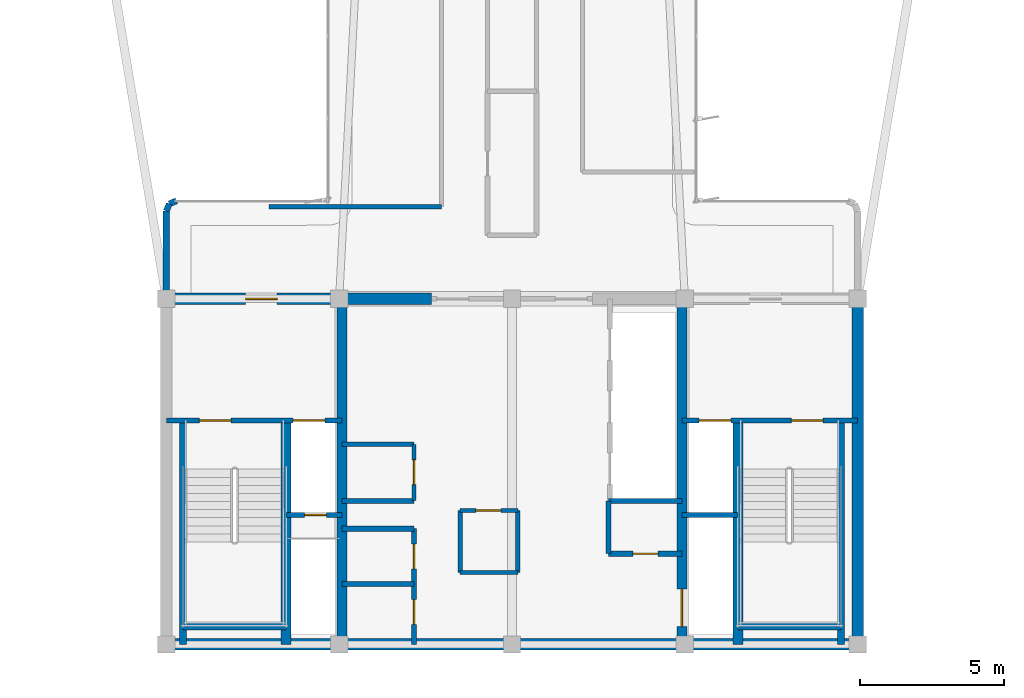
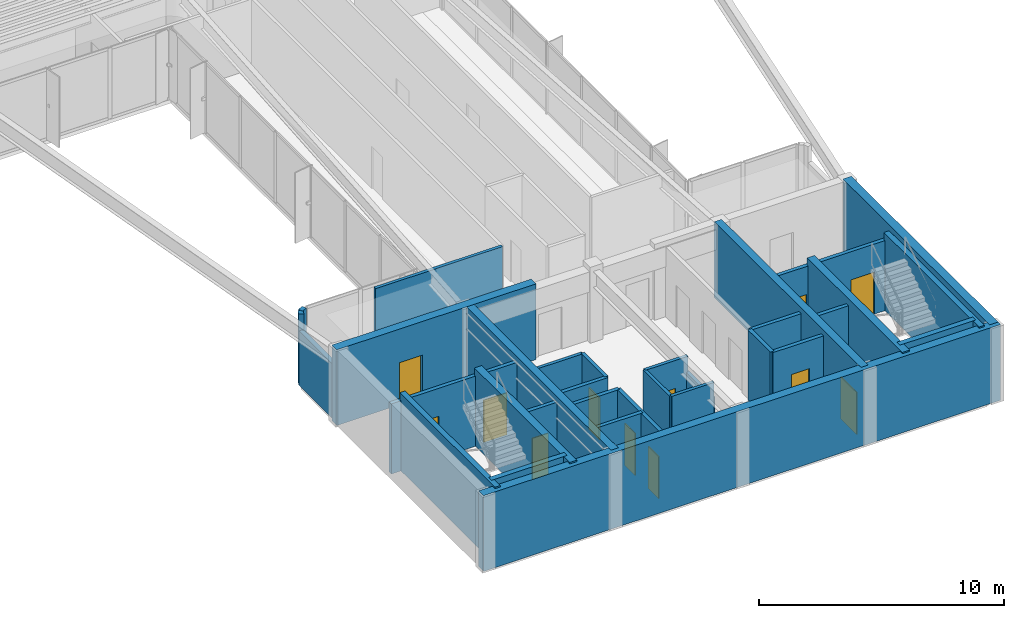
# One storey, part 10 of 15: 32 walls, 12 doors, 12 openings.
"""IFC4 building model written with IfcOpenShell, lengths in metres."""

from ifc_helpers import new_model, si_unit, direction, frame, frame_2d, origin, origin_2d, place, context, subcontext, project, spatial, rectangle, extrude, source, transform, mapped, material, layer, layer_set, type_object, element, fill, save


model = new_model("IFC4")

# Units and contexts
model_context = context("Model", 3, precision=1e-05, world=origin(), true_north=direction((0.0, 1.0)))
body_context = subcontext(model_context, "Body", "Model", "MODEL_VIEW")
ifc_project = project(units=[si_unit("LENGTHUNIT", "METRE"), si_unit("AREAUNIT", "SQUARE_METRE"), si_unit("VOLUMEUNIT", "CUBIC_METRE"), si_unit("PLANEANGLEUNIT", "RADIAN"), si_unit("MASSUNIT", "GRAM", prefix="KILO")], contexts=[model_context])

# Site, building, storey
site_placement = place(None, origin())
site = spatial("IfcSite", under=ifc_project, at=site_placement, CompositionType="ELEMENT")
building_placement = place(site_placement, origin())
building = spatial("IfcBuilding", under=site, at=building_placement, Name="Brelvock Crest Care Tower", CompositionType="ELEMENT")
storey_placement = place(building_placement, frame((0.0, 0.0, 245.699951171875)))
storey = spatial("IfcBuildingStorey", under=building, at=storey_placement, Name="L62", CompositionType="ELEMENT", Elevation=245.699951171875)

# Walls
ifc_material_1 = material(Name="Concrete S65 (65 MPa)", Category="concrete")
ifc_layer_1 = layer(ifc_material_1, 0.39990234375, Name="WL-CS4")
ifc_layer_set_1 = layer_set([ifc_layer_1], Name="Concrete S65 (65 MPa)")
wall_type_1 = type_object("IfcWallType", Name="WL-CS4", PredefinedType="SHEAR", material=ifc_layer_set_1)
wall_1_placement = place(storey_placement, frame((48.199951171875, 6.0, 0.0), z_axis=(0.0, 0.0, 1.0), x_axis=(-1.0, 0.0, 0.0)))
element("IfcWall", 1, at=wall_1_placement, inside=storey, type_object=wall_type_1, Name="L62 Core South Shear Wall", PredefinedType="SHEAR", context=body_context, shape_type="SweptSolid", body=[
    extrude(rectangle(XDim=24.39990234375, YDim=0.39990234375, at=frame_2d((12.199951171875, 0.0))), origin(), (0.0, 0.0, 1.0), 3.780029296875),
])
wall_2_placement = place(storey_placement, frame((48.0, 18.0, 0.0), z_axis=(0.0, 0.0, 1.0), x_axis=(0.0, -1.0, 0.0)))
element("IfcWall", 2, at=wall_2_placement, inside=storey, type_object=wall_type_1, Name="L62 Core East Shear Wall", PredefinedType="SHEAR", context=body_context, shape_type="SweptSolid", body=[
    extrude(rectangle(XDim=12.0, YDim=0.39990234375, at=frame_2d((6.0, 0.0))), origin(), (0.0, 0.0, 1.0), 3.780029296875),
])

# Wall, opening, door
wall_3_placement = place(storey_placement, frame((23.800048828125, 18.0, 0.0), z_axis=(0.0, 0.0, 1.0), x_axis=(1.0, 0.0, 0.0)))
wall_3 = element("IfcWall", 3, at=wall_3_placement, inside=storey, type_object=wall_type_1, Name="L62 Core North-West Shear Wall", PredefinedType="SHEAR", context=body_context, shape_type="SweptSolid", body=[
    extrude(rectangle(XDim=9.39990234375, YDim=0.39990234375, at=frame_2d((4.699951171875, 0.0))), origin(), (0.0, 0.0, 1.0), 3.780029296875),
])
opening_1_placement = place(wall_3_placement, frame((2.949951171875, 0.0, 0.0)))
opening_1 = element("IfcOpeningElement", 4, at=opening_1_placement, cuts=wall_3, Name="Opening FD-1", PredefinedType="OPENING", context=body_context, shape_type="SweptSolid", body=[
    extrude(rectangle(XDim=1.10009765625, YDim=2.10009765625, at=origin_2d()), frame((0.550048828125, 0.2099609375, 1.050048828125), z_axis=(0.0, -1.0, 0.0), x_axis=(1.0, 0.0, 0.0)), (0.0, 0.0, 1.0), 0.419921875),
])
ifc_material_2 = material(Name="Steel Grade 350", Category="steel")
door_type_1 = type_object("IfcDoorType", Name="DR-FFL1", OperationType="NOTDEFINED", PredefinedType="DOOR", material=ifc_material_2)
shared_shape_1 = source(origin(), body_context, "Body", "SweptSolid", [
    extrude(rectangle(XDim=1.10009765625, YDim=2.10009765625, at=origin_2d()), frame((0.550048828125, 0.02490234375, 1.050048828125), z_axis=(0.0, -1.0, 0.0), x_axis=(1.0, 0.0, 0.0)), (0.0, 0.0, 1.0), 0.050048828125),
])
door_1_placement = place(opening_1_placement, origin())
door_1 = element("IfcDoor", 5, at=door_1_placement, inside=storey, type_object=door_type_1, Name="L62 Firefighting Lobby FFL-1 Exit Door", OperationType="SINGLE_SWING_LEFT", OverallHeight=2.10009765625, OverallWidth=1.10009765625, PredefinedType="DOOR", context=body_context, shape_type="MappedRepresentation", body=[
    mapped(shared_shape_1, transform((0.0, 0.0, 0.0), x_axis=(1.0, 0.0, 0.0), y_axis=(0.0, 1.0, 0.0), z_axis=(0.0, 0.0, 1.0), scale=1.0)),
])
fill(opening_1, door_1)

# Wall
ifc_material_3 = material(Name="Concrete S80 (80 MPa)", Category="concrete")
ifc_layer_2 = layer(ifc_material_3, 0.35009765625, Name="WL-CS5")
ifc_layer_set_2 = layer_set([ifc_layer_2], Name="Concrete S80 (80 MPa)")
wall_type_2 = type_object("IfcWallType", Name="WL-CS5", PredefinedType="SHEAR", material=ifc_layer_set_2)
wall_4_placement = place(storey_placement, frame((30.10009765625, 6.0, 0.0), z_axis=(0.0, 0.0, 1.0), x_axis=(0.0, 1.0, 0.0)))
element("IfcWall", 6, at=wall_4_placement, inside=storey, type_object=wall_type_2, Name="L62 Core Internal Web Wall West", PredefinedType="SHEAR", context=body_context, shape_type="SweptSolid", body=[
    extrude(rectangle(XDim=12.0, YDim=0.35009765625, at=frame_2d((6.0, 0.0))), origin(), (0.0, 0.0, 1.0), 3.780029296875),
])

# Wall, opening, door
wall_5_placement = place(storey_placement, frame((41.89990234375, 18.0, 0.0), z_axis=(0.0, 0.0, 1.0), x_axis=(0.0, -1.0, 0.0)))
wall_5 = element("IfcWall", 7, at=wall_5_placement, inside=storey, type_object=wall_type_2, Name="L62 Core Internal Web Wall East", PredefinedType="SHEAR", context=body_context, shape_type="SweptSolid", body=[
    extrude(rectangle(XDim=12.0, YDim=0.35009765625, at=frame_2d((6.0, 0.0))), origin(), (0.0, 0.0, 1.0), 3.780029296875),
])
opening_2_placement = place(wall_5_placement, frame((10.080078125, 0.0, 0.0)))
opening_2 = element("IfcOpeningElement", 8, at=opening_2_placement, cuts=wall_5, Name="Opening LD-S", PredefinedType="OPENING", context=body_context, shape_type="SweptSolid", body=[
    extrude(rectangle(XDim=1.300048828125, YDim=2.10009765625, at=origin_2d()), frame((0.64990234375, 0.18505859375, 1.050048828125), z_axis=(0.0, -1.0, 0.0), x_axis=(1.0, 0.0, 0.0)), (0.0, 0.0, 1.0), 0.3701171875),
])
door_type_2 = type_object("IfcDoorType", Name="DR-LDS1", OperationType="NOTDEFINED", PredefinedType="DOOR", material=ifc_material_2)
shared_shape_2 = source(origin(), body_context, "Body", "SweptSolid", [
    extrude(rectangle(XDim=1.300048828125, YDim=2.10009765625, at=origin_2d()), frame((0.64990234375, 0.02490234375, 1.050048828125), z_axis=(0.0, -1.0, 0.0), x_axis=(1.0, 0.0, 0.0)), (0.0, 0.0, 1.0), 0.050048828125),
])
door_2_placement = place(opening_2_placement, origin())
door_2 = element("IfcDoor", 9, at=door_2_placement, inside=storey, type_object=door_type_2, Name="L62 Clinical Bed Lift SL-1 Landing Door", OperationType="SLIDING_TO_LEFT", OverallHeight=2.10009765625, OverallWidth=1.300048828125, PredefinedType="DOOR", context=body_context, shape_type="MappedRepresentation", body=[
    mapped(shared_shape_2, transform((0.0, 0.0, 0.0), x_axis=(1.0, 0.0, 0.0), y_axis=(0.0, 1.0, 0.0), z_axis=(0.0, 0.0, 1.0), scale=1.0)),
])
fill(opening_2, door_2)

# Walls
for number, where, z_axis, x_axis, name in (
    (10, (28.14990234375, 6.0, 0.0), (0.0, 0.0, 1.0), (0.0, 1.0, 0.0), "L62 Core Stair ST-1 East Shear Wall"),
    (11, (43.85009765625, 6.0, 0.0), (0.0, 0.0, 1.0), (0.0, 1.0, 0.0), "L62 Core Stair ST-2 West Shear Wall"),
):
    element("IfcWall", number, at=place(storey_placement, frame(where, z_axis=z_axis, x_axis=x_axis)), inside=storey, type_object=wall_type_2, Name=name, PredefinedType="SHEAR", context=body_context, shape_type="SweptSolid", body=[
        extrude(rectangle(XDim=7.780029296875, YDim=0.35009765625, at=frame_2d((3.89013671875, 0.0))), origin(), (0.0, 0.0, 1.0), 3.85009765625),
    ])
ifc_layer_3 = layer(ifc_material_3, 0.25, Name="WL-CS6")
ifc_layer_set_3 = layer_set([ifc_layer_3], Name="Concrete S80 (80 MPa)")
wall_type_3 = type_object("IfcWallType", Name="WL-CS6", PredefinedType="SHEAR", material=ifc_layer_set_3)
wall_6_placement = place(storey_placement, frame((24.580078125, 6.0, 0.0), z_axis=(0.0, 0.0, 1.0), x_axis=(0.0, 1.0, 0.0)))
element("IfcWall", 12, at=wall_6_placement, inside=storey, type_object=wall_type_3, Name="L62 Core Stair ST-1 West Shear Wall", PredefinedType="SHEAR", context=body_context, shape_type="SweptSolid", body=[
    extrude(rectangle(XDim=7.780029296875, YDim=0.25, at=frame_2d((3.89013671875, 0.0))), origin(), (0.0, 0.0, 1.0), 3.85009765625),
])
wall_7_placement = place(storey_placement, frame((24.580078125, 6.6201171875, 0.0), z_axis=(0.0, 0.0, 1.0), x_axis=(1.0, 0.0, 0.0)))
element("IfcWall", 13, at=wall_7_placement, inside=storey, type_object=wall_type_3, Name="L62 Core Stair ST-1 South Shear Wall", PredefinedType="SHEAR", context=body_context, shape_type="SweptSolid", body=[
    extrude(rectangle(XDim=3.56982421875, YDim=0.25, at=frame_2d((1.784912109375, 0.0))), origin(), (0.0, 0.0, 1.0), 3.85009765625),
])
wall_8_placement = place(storey_placement, frame((47.419921875, 6.0, 0.0), z_axis=(0.0, 0.0, 1.0), x_axis=(0.0, 1.0, 0.0)))
element("IfcWall", 14, at=wall_8_placement, inside=storey, type_object=wall_type_3, Name="L62 Core Stair ST-2 East Shear Wall", PredefinedType="SHEAR", context=body_context, shape_type="SweptSolid", body=[
    extrude(rectangle(XDim=7.780029296875, YDim=0.25, at=frame_2d((3.89013671875, 0.0))), origin(), (0.0, 0.0, 1.0), 3.85009765625),
])
wall_9_placement = place(storey_placement, frame((43.85009765625, 6.6201171875, 0.0), z_axis=(0.0, 0.0, 1.0), x_axis=(1.0, 0.0, 0.0)))
element("IfcWall", 15, at=wall_9_placement, inside=storey, type_object=wall_type_3, Name="L62 Core Stair ST-2 South Shear Wall", PredefinedType="SHEAR", context=body_context, shape_type="SweptSolid", body=[
    extrude(rectangle(XDim=3.56982421875, YDim=0.25, at=frame_2d((1.784912109375, 0.0))), origin(), (0.0, 0.0, 1.0), 3.85009765625),
])
ifc_material_4 = material(Name="Precast concrete N40 (40 MPa)", Category="concrete")
ifc_layer_4 = layer(ifc_material_4, 0.215087890625, Name="WL-EX2")
ifc_layer_set_4 = layer_set([ifc_layer_4], Name="Precast concrete N40 (40 MPa)")
wall_type_4 = type_object("IfcWallType", Name="WL-EX2", PredefinedType="SOLIDWALL", material=ifc_layer_set_4)
wall_10_placement = place(storey_placement, frame((24.0, 18.280029296875, 0.0), z_axis=(0.0, 0.0, 1.0), x_axis=(0.0, 1.0, 0.0)))
element("IfcWall", 16, at=wall_10_placement, inside=storey, type_object=wall_type_4, Name="L62 Rounded Corner Wall 07", PredefinedType="SOLIDWALL", context=body_context, shape_type="SweptSolid", body=[
    extrude(rectangle(XDim=2.77001953125, YDim=0.215087890625, at=frame_2d((1.385009765625, 0.0))), origin(), (0.0, 0.0, 1.0), 2.718017578125),
])
wall_11_placement = place(storey_placement, frame((24.0, 21.050048828125, 0.0), z_axis=(0.0, 0.0, 1.0), x_axis=(0.382673670509, 0.923883575944, 0.0)))
element("IfcWall", 17, at=wall_11_placement, inside=storey, type_object=wall_type_4, Name="L62 Rounded Corner Wall 08", PredefinedType="SOLIDWALL", context=body_context, shape_type="SweptSolid", body=[
    extrude(rectangle(XDim=0.26806640625, YDim=0.215087890625, at=frame_2d((0.134033203125, 0.0))), origin(), (0.0, 0.0, 1.0), 3.530029296875),
])
wall_12_placement = place(storey_placement, frame((24.1025390625, 21.297607421875, 0.0), z_axis=(0.0, 0.0, 1.0), x_axis=(0.924205486139, 0.381895560841, 0.0)))
element("IfcWall", 18, at=wall_12_placement, inside=storey, type_object=wall_type_4, Name="L62 Rounded Corner Wall 09", PredefinedType="SOLIDWALL", context=body_context, shape_type="SweptSolid", body=[
    extrude(rectangle(XDim=0.267822265625, YDim=0.215087890625, at=frame_2d((0.1337890625, 0.0))), origin(), (0.0, 0.0, 1.0), 3.530029296875),
])
ifc_material_5 = material(Name="Masonry Blockwork Acoustic Partition", Category="masonry")
ifc_layer_5 = layer(ifc_material_5, 0.14990234375, Name="WL-INT1")
ifc_layer_set_5 = layer_set([ifc_layer_5], Name="Masonry Blockwork Acoustic Partition")
wall_type_5 = type_object("IfcWallType", Name="WL-INT1", PredefinedType="PARTITIONING", material=ifc_layer_set_5)
wall_13_placement = place(storey_placement, frame((30.10009765625, 12.949951171875, 0.0), z_axis=(0.0, 0.0, 1.0), x_axis=(1.0, 0.0, 0.0)))
element("IfcWall", 19, at=wall_13_placement, inside=storey, type_object=wall_type_5, Name="L62 Interior Wall WL-CRCL-N2-L62", PredefinedType="PARTITIONING", context=body_context, shape_type="SweptSolid", body=[
    extrude(rectangle(XDim=2.5, YDim=0.14990234375, at=frame_2d((1.25, 0.0))), origin(), (0.0, 0.0, 1.0), 3.5),
])

# Wall, opening, door
wall_14_placement = place(storey_placement, frame((32.60009765625, 11.0, 0.0), z_axis=(0.0, 0.0, 1.0), x_axis=(0.0, 1.0, 0.0)))
wall_14 = element("IfcWall", 20, at=wall_14_placement, inside=storey, type_object=wall_type_5, Name="L62 Interior Wall WL-CRCL-E-L62", PredefinedType="PARTITIONING", context=body_context, shape_type="SweptSolid", body=[
    extrude(rectangle(XDim=1.949951171875, YDim=0.14990234375, at=frame_2d((0.97509765625, 0.0))), origin(), (0.0, 0.0, 1.0), 3.5),
])
opening_3_placement = place(wall_14_placement, frame((0.550048828125, 0.0, 0.0)))
opening_3 = element("IfcOpeningElement", 21, at=opening_3_placement, cuts=wall_14, Name="Opening ID-1", PredefinedType="OPENING", context=body_context, shape_type="SweptSolid", body=[
    extrude(rectangle(XDim=0.860107421875, YDim=2.10009765625, at=origin_2d()), frame((0.43017578125, 0.0849609375, 1.050048828125), z_axis=(0.0, -1.0, 0.0), x_axis=(1.0, 0.0, 0.0)), (0.0, 0.0, 1.0), 0.169921875),
])
ifc_material_6 = material(Name="Engineered Hardwood Timber", Category="wood")
door_type_3 = type_object("IfcDoorType", Name="DR-INT1", OperationType="NOTDEFINED", PredefinedType="DOOR", material=ifc_material_6)
shared_shape_3 = source(origin(), body_context, "Body", "SweptSolid", [
    extrude(rectangle(XDim=0.860107421875, YDim=2.10009765625, at=origin_2d()), frame((0.43017578125, 0.02490234375, 1.050048828125), z_axis=(0.0, -1.0, 0.0), x_axis=(1.0, 0.0, 0.0)), (0.0, 0.0, 1.0), 0.050048828125),
])
door_3_placement = place(opening_3_placement, origin())
door_3 = element("IfcDoor", 22, at=door_3_placement, inside=storey, type_object=door_type_3, Name="DR-CRCL1-L62", OperationType="SINGLE_SWING_LEFT", OverallHeight=2.10009765625, OverallWidth=0.860107421875, PredefinedType="DOOR", context=body_context, shape_type="MappedRepresentation", body=[
    mapped(shared_shape_3, transform((0.0, 0.0, 0.0), x_axis=(1.0, 0.0, 0.0), y_axis=(0.0, 1.0, 0.0), z_axis=(0.0, 0.0, 1.0), scale=1.0)),
])
fill(opening_3, door_3)

# Walls
wall_15_placement = place(storey_placement, frame((34.199951171875, 8.5, 0.0), z_axis=(0.0, 0.0, 1.0), x_axis=(1.0, 0.0, 0.0)))
element("IfcWall", 23, at=wall_15_placement, inside=storey, type_object=wall_type_5, Name="L62 Interior Wall WL-CRCM-S-L62", PredefinedType="PARTITIONING", context=body_context, shape_type="SweptSolid", body=[
    extrude(rectangle(XDim=2.0, YDim=0.14990234375, at=frame_2d((1.0, 0.0))), origin(), (0.0, 0.0, 1.0), 3.5),
])
wall_16_placement = place(storey_placement, frame((34.199951171875, 8.5, 0.0), z_axis=(0.0, 0.0, 1.0), x_axis=(0.0, 1.0, 0.0)))
element("IfcWall", 24, at=wall_16_placement, inside=storey, type_object=wall_type_5, Name="L62 Interior Wall WL-CRCM-W-L62", PredefinedType="PARTITIONING", context=body_context, shape_type="SweptSolid", body=[
    extrude(rectangle(XDim=2.14990234375, YDim=0.14990234375, at=frame_2d((1.074951171875, 0.0))), origin(), (0.0, 0.0, 1.0), 3.5),
])
wall_17_placement = place(storey_placement, frame((36.199951171875, 8.5, 0.0), z_axis=(0.0, 0.0, 1.0), x_axis=(0.0, 1.0, 0.0)))
element("IfcWall", 25, at=wall_17_placement, inside=storey, type_object=wall_type_5, Name="L62 Interior Wall WL-CRCM-E-L62", PredefinedType="PARTITIONING", context=body_context, shape_type="SweptSolid", body=[
    extrude(rectangle(XDim=2.14990234375, YDim=0.14990234375, at=frame_2d((1.074951171875, 0.0))), origin(), (0.0, 0.0, 1.0), 2.715087890625),
])

# Wall, opening, door
wall_18_placement = place(storey_placement, frame((34.199951171875, 10.64990234375, 0.0), z_axis=(0.0, 0.0, 1.0), x_axis=(1.0, 0.0, 0.0)))
wall_18 = element("IfcWall", 26, at=wall_18_placement, inside=storey, type_object=wall_type_5, Name="L62 Interior Wall WL-CRCM-N-L62", PredefinedType="PARTITIONING", context=body_context, shape_type="SweptSolid", body=[
    extrude(rectangle(XDim=2.0, YDim=0.14990234375, at=frame_2d((1.0, 0.0))), origin(), (0.0, 0.0, 1.0), 3.5),
])
opening_4_placement = place(wall_18_placement, frame((0.550048828125, 0.0, 0.0)))
opening_4 = element("IfcOpeningElement", 27, at=opening_4_placement, cuts=wall_18, Name="Opening ID-1", PredefinedType="OPENING", context=body_context, shape_type="SweptSolid", body=[
    extrude(rectangle(XDim=0.860107421875, YDim=2.10009765625, at=origin_2d()), frame((0.43017578125, 0.0849609375, 1.050048828125), z_axis=(0.0, -1.0, 0.0), x_axis=(1.0, 0.0, 0.0)), (0.0, 0.0, 1.0), 0.169921875),
])
door_4_placement = place(opening_4_placement, origin())
door_4 = element("IfcDoor", 28, at=door_4_placement, inside=storey, type_object=door_type_3, Name="DR-CRCM1-L62", OperationType="SINGLE_SWING_LEFT", OverallHeight=2.10009765625, OverallWidth=0.860107421875, PredefinedType="DOOR", context=body_context, shape_type="MappedRepresentation", body=[
    mapped(shared_shape_3, transform((0.0, 0.0, 0.0), x_axis=(1.0, 0.0, 0.0), y_axis=(0.0, 1.0, 0.0), z_axis=(0.0, 0.0, 1.0), scale=1.0)),
])
fill(opening_4, door_4)

# Walls
wall_19_placement = place(storey_placement, frame((27.5576171875, 21.199951171875, 0.0), z_axis=(0.0, 0.0, 1.0), x_axis=(1.0, 0.0, 0.0)))
element("IfcWall", 29, at=wall_19_placement, inside=storey, type_object=wall_type_5, Name="L62 Interior Wall WL-BX-L62-THRW-S", PredefinedType="PARTITIONING", context=body_context, shape_type="SweptSolid", body=[
    extrude(rectangle(XDim=5.992431640625, YDim=0.14990234375, at=frame_2d((2.99609375, 0.0))), origin(), (0.0, 0.0, 1.0), 3.5),
])
ifc_layer_6 = layer(ifc_material_5, 0.179931640625, Name="WL-SHF1")
ifc_layer_set_6 = layer_set([ifc_layer_6], Name="Masonry Blockwork Acoustic Partition")
wall_type_6 = type_object("IfcWallType", Name="WL-SHF1", PredefinedType="PARTITIONING", material=ifc_layer_set_6)
wall_20_placement = place(storey_placement, frame((30.10009765625, 10.97998046875, 0.0), z_axis=(0.0, 0.0, 1.0), x_axis=(1.0, 0.0, 0.0)))
element("IfcWall", 30, at=wall_20_placement, inside=storey, type_object=wall_type_6, Name="L62 Interior Wall WL-CSBW-N-L62", PredefinedType="PARTITIONING", context=body_context, shape_type="SweptSolid", body=[
    extrude(rectangle(XDim=2.5, YDim=0.179931640625, at=frame_2d((1.25, 0.0))), origin(), (0.0, 0.0, 1.0), 3.5),
])
wall_21_placement = place(storey_placement, frame((39.35009765625, 10.97998046875, 0.0), z_axis=(0.0, 0.0, 1.0), x_axis=(1.0, 0.0, 0.0)))
element("IfcWall", 31, at=wall_21_placement, inside=storey, type_object=wall_type_6, Name="L62 Interior Wall WL-CSBE-N-L62", PredefinedType="PARTITIONING", context=body_context, shape_type="SweptSolid", body=[
    extrude(rectangle(XDim=2.5498046875, YDim=0.179931640625, at=frame_2d((1.27490234375, 0.0))), origin(), (0.0, 0.0, 1.0), 3.5),
])
for number, where, z_axis, x_axis, name in (
    (32, (30.10009765625, 8.10009765625, 0.0), (0.0, 0.0, 1.0), (1.0, 0.0, 0.0), "L62 Interior Wall WL-CSBW-SP-L62"),
    (33, (30.10009765625, 10.02001953125, 0.0), (0.0, 0.0, 1.0), (1.0, 0.0, 0.0), "L62 Interior Wall WL-CSBW-N2-L62"),
):
    element("IfcWall", number, at=place(storey_placement, frame(where, z_axis=z_axis, x_axis=x_axis)), inside=storey, type_object=wall_type_6, Name=name, PredefinedType="PARTITIONING", context=body_context, shape_type="SweptSolid", body=[
        extrude(rectangle(XDim=2.5, YDim=0.179931640625, at=frame_2d((1.25, 0.0))), origin(), (0.0, 0.0, 1.0), 3.5),
    ])

# Wall, openings, doors
wall_22_placement = place(storey_placement, frame((32.60009765625, 6.0, 0.0), z_axis=(0.0, 0.0, 1.0), x_axis=(0.0, 1.0, 0.0)))
wall_22 = element("IfcWall", 34, at=wall_22_placement, inside=storey, type_object=wall_type_6, Name="L62 Interior Wall WL-CSBW-E-L62", PredefinedType="PARTITIONING", context=body_context, shape_type="SweptSolid", body=[
    extrude(rectangle(XDim=4.02001953125, YDim=0.179931640625, at=frame_2d((2.010009765625, 0.0))), origin(), (0.0, 0.0, 1.0), 3.5),
])
opening_5_placement = place(wall_22_placement, frame((0.699951171875, 0.0, 0.0)))
opening_5 = element("IfcOpeningElement", 35, at=opening_5_placement, cuts=wall_22, Name="Opening ID-1", PredefinedType="OPENING", context=body_context, shape_type="SweptSolid", body=[
    extrude(rectangle(XDim=0.860107421875, YDim=2.10009765625, at=origin_2d()), frame((0.43017578125, 0.10009765625, 1.050048828125), z_axis=(0.0, -1.0, 0.0), x_axis=(1.0, 0.0, 0.0)), (0.0, 0.0, 1.0), 0.199951171875),
])
opening_6_placement = place(wall_22_placement, frame((2.6201171875, 0.0, 0.0)))
opening_6 = element("IfcOpeningElement", 36, at=opening_6_placement, cuts=wall_22, Name="Opening ID-1", PredefinedType="OPENING", context=body_context, shape_type="SweptSolid", body=[
    extrude(rectangle(XDim=0.860107421875, YDim=2.10009765625, at=origin_2d()), frame((0.43017578125, 0.10009765625, 1.050048828125), z_axis=(0.0, -1.0, 0.0), x_axis=(1.0, 0.0, 0.0)), (0.0, 0.0, 1.0), 0.199951171875),
])
door_5_placement = place(opening_5_placement, origin())
door_5 = element("IfcDoor", 37, at=door_5_placement, inside=storey, type_object=door_type_3, Name="DR-CSBW1-L62", OperationType="SINGLE_SWING_LEFT", OverallHeight=2.10009765625, OverallWidth=0.860107421875, PredefinedType="DOOR", context=body_context, shape_type="MappedRepresentation", body=[
    mapped(shared_shape_3, transform((0.0, 0.0, 0.0), x_axis=(1.0, 0.0, 0.0), y_axis=(0.0, 1.0, 0.0), z_axis=(0.0, 0.0, 1.0), scale=1.0)),
])
fill(opening_5, door_5)
door_6_placement = place(opening_6_placement, origin())
door_6 = element("IfcDoor", 38, at=door_6_placement, inside=storey, type_object=door_type_3, Name="DR-CSBW2-L62", OperationType="SINGLE_SWING_RIGHT", OverallHeight=2.10009765625, OverallWidth=0.860107421875, PredefinedType="DOOR", context=body_context, shape_type="MappedRepresentation", body=[
    mapped(shared_shape_3, transform((0.0, 0.0, 0.0), x_axis=(1.0, 0.0, 0.0), y_axis=(0.0, 1.0, 0.0), z_axis=(0.0, 0.0, 1.0), scale=1.0)),
])
fill(opening_6, door_6)

# Wall
wall_23_placement = place(storey_placement, frame((39.35009765625, 9.14990234375, 0.0), z_axis=(0.0, 0.0, 1.0), x_axis=(0.0, 1.0, 0.0)))
element("IfcWall", 39, at=wall_23_placement, inside=storey, type_object=wall_type_6, Name="L62 Interior Wall WL-CSBE-W-L62", PredefinedType="PARTITIONING", context=body_context, shape_type="SweptSolid", body=[
    extrude(rectangle(XDim=1.830078125, YDim=0.179931640625, at=frame_2d((0.9150390625, 0.0))), origin(), (0.0, 0.0, 1.0), 3.5),
])

# Wall, opening, door
wall_24_placement = place(storey_placement, frame((39.35009765625, 9.14990234375, 0.0), z_axis=(0.0, 0.0, 1.0), x_axis=(1.0, 0.0, 0.0)))
wall_24 = element("IfcWall", 40, at=wall_24_placement, inside=storey, type_object=wall_type_6, Name="L62 Interior Wall WL-CSBE-S-L62", PredefinedType="PARTITIONING", context=body_context, shape_type="SweptSolid", body=[
    extrude(rectangle(XDim=2.5498046875, YDim=0.179931640625, at=frame_2d((1.27490234375, 0.0))), origin(), (0.0, 0.0, 1.0), 3.5),
])
opening_7_placement = place(wall_24_placement, frame((0.85009765625, 0.0, 0.0)))
opening_7 = element("IfcOpeningElement", 41, at=opening_7_placement, cuts=wall_24, Name="Opening ID-1", PredefinedType="OPENING", context=body_context, shape_type="SweptSolid", body=[
    extrude(rectangle(XDim=0.860107421875, YDim=2.10009765625, at=origin_2d()), frame((0.43017578125, 0.10009765625, 1.050048828125), z_axis=(0.0, -1.0, 0.0), x_axis=(1.0, 0.0, 0.0)), (0.0, 0.0, 1.0), 0.199951171875),
])
door_7_placement = place(opening_7_placement, origin())
door_7 = element("IfcDoor", 42, at=door_7_placement, inside=storey, type_object=door_type_3, Name="DR-CSBE-L62", OperationType="SINGLE_SWING_LEFT", OverallHeight=2.10009765625, OverallWidth=0.860107421875, PredefinedType="DOOR", context=body_context, shape_type="MappedRepresentation", body=[
    mapped(shared_shape_3, transform((0.0, 0.0, 0.0), x_axis=(1.0, 0.0, 0.0), y_axis=(0.0, 1.0, 0.0), z_axis=(0.0, 0.0, 1.0), scale=1.0)),
])
fill(opening_7, door_7)

# Wall, openings, doors
wall_25_placement = place(storey_placement, frame((24.0, 13.780029296875, 0.0), z_axis=(0.0, 0.0, 1.0), x_axis=(1.0, 0.0, 0.0)))
wall_25 = element("IfcWall", 43, at=wall_25_placement, inside=storey, type_object=wall_type_6, Name="L62 Interior Wall WL-ST1-N-L62", PredefinedType="PARTITIONING", context=body_context, shape_type="SweptSolid", body=[
    extrude(rectangle(XDim=6.10009765625, YDim=0.179931640625, at=frame_2d((3.050048828125, 0.0))), origin(), (0.0, 0.0, 1.0), 3.5),
])
opening_8_placement = place(wall_25_placement, frame((1.14990234375, 0.0, 0.0)))
opening_8 = element("IfcOpeningElement", 44, at=opening_8_placement, cuts=wall_25, Name="Opening SD-1", PredefinedType="OPENING", context=body_context, shape_type="SweptSolid", body=[
    extrude(rectangle(XDim=1.10009765625, YDim=2.10009765625, at=origin_2d()), frame((0.550048828125, 0.10009765625, 1.050048828125), z_axis=(0.0, -1.0, 0.0), x_axis=(1.0, 0.0, 0.0)), (0.0, 0.0, 1.0), 0.199951171875),
])
opening_9_placement = place(wall_25_placement, frame((4.39990234375, 0.0, 0.0)))
opening_9 = element("IfcOpeningElement", 45, at=opening_9_placement, cuts=wall_25, Name="Opening LD", PredefinedType="OPENING", context=body_context, shape_type="SweptSolid", body=[
    extrude(rectangle(XDim=1.10009765625, YDim=2.10009765625, at=origin_2d()), frame((0.550048828125, 0.10009765625, 1.050048828125), z_axis=(0.0, -1.0, 0.0), x_axis=(1.0, 0.0, 0.0)), (0.0, 0.0, 1.0), 0.199951171875),
])
door_type_4 = type_object("IfcDoorType", Name="DR-ST1", OperationType="NOTDEFINED", PredefinedType="DOOR", material=ifc_material_2)
shared_shape_4 = source(origin(), body_context, "Body", "SweptSolid", [
    extrude(rectangle(XDim=1.10009765625, YDim=2.10009765625, at=origin_2d()), frame((0.550048828125, 0.02490234375, 1.050048828125), z_axis=(0.0, -1.0, 0.0), x_axis=(1.0, 0.0, 0.0)), (0.0, 0.0, 1.0), 0.050048828125),
])
door_8_placement = place(opening_8_placement, origin())
door_8 = element("IfcDoor", 46, at=door_8_placement, inside=storey, type_object=door_type_4, Name="L62 Fire Stair ST-1 Door", OperationType="SINGLE_SWING_LEFT", OverallHeight=2.10009765625, OverallWidth=1.10009765625, PredefinedType="DOOR", context=body_context, shape_type="MappedRepresentation", body=[
    mapped(shared_shape_4, transform((0.0, 0.0, 0.0), x_axis=(1.0, 0.0, 0.0), y_axis=(0.0, 1.0, 0.0), z_axis=(0.0, 0.0, 1.0), scale=1.0)),
])
fill(opening_8, door_8)
door_type_5 = type_object("IfcDoorType", Name="DR-LD1", OperationType="NOTDEFINED", PredefinedType="DOOR", material=ifc_material_2)
shared_shape_5 = source(origin(), body_context, "Body", "SweptSolid", [
    extrude(rectangle(XDim=1.10009765625, YDim=2.10009765625, at=origin_2d()), frame((0.550048828125, 0.02490234375, 1.050048828125), z_axis=(0.0, -1.0, 0.0), x_axis=(1.0, 0.0, 0.0)), (0.0, 0.0, 1.0), 0.050048828125),
])
door_9_placement = place(opening_9_placement, origin())
door_9 = element("IfcDoor", 47, at=door_9_placement, inside=storey, type_object=door_type_5, Name="L62 Firefighting Lift FFL-1 Landing Door", OperationType="SLIDING_TO_LEFT", OverallHeight=2.10009765625, OverallWidth=1.10009765625, PredefinedType="DOOR", context=body_context, shape_type="MappedRepresentation", body=[
    mapped(shared_shape_5, transform((0.0, 0.0, 0.0), x_axis=(1.0, 0.0, 0.0), y_axis=(0.0, 1.0, 0.0), z_axis=(0.0, 0.0, 1.0), scale=1.0)),
])
fill(opening_9, door_9)

# Wall, opening, door
wall_26_placement = place(storey_placement, frame((28.14990234375, 10.5, 0.0), z_axis=(0.0, 0.0, 1.0), x_axis=(1.0, 0.0, 0.0)))
wall_26 = element("IfcWall", 48, at=wall_26_placement, inside=storey, type_object=wall_type_6, Name="L62 Interior Wall WL-FFH1-S-L62", PredefinedType="PARTITIONING", context=body_context, shape_type="SweptSolid", body=[
    extrude(rectangle(XDim=1.9501953125, YDim=0.179931640625, at=frame_2d((0.97509765625, 0.0))), origin(), (0.0, 0.0, 1.0), 3.5),
])
opening_10_placement = place(wall_26_placement, frame((0.64990234375, 0.0, 0.0)))
opening_10 = element("IfcOpeningElement", 49, at=opening_10_placement, cuts=wall_26, Name="Opening RD-1", PredefinedType="OPENING", context=body_context, shape_type="SweptSolid", body=[
    extrude(rectangle(XDim=0.760009765625, YDim=2.050048828125, at=origin_2d()), frame((0.3798828125, 0.10009765625, 1.02490234375), z_axis=(0.0, -1.0, 0.0), x_axis=(1.0, 0.0, 0.0)), (0.0, 0.0, 1.0), 0.199951171875),
])
door_type_6 = type_object("IfcDoorType", Name="DR-RIS1", OperationType="NOTDEFINED", PredefinedType="DOOR", material=ifc_material_2)
shared_shape_6 = source(origin(), body_context, "Body", "SweptSolid", [
    extrude(rectangle(XDim=0.760009765625, YDim=2.050048828125, at=origin_2d()), frame((0.3798828125, 0.02490234375, 1.02490234375), z_axis=(0.0, -1.0, 0.0), x_axis=(1.0, 0.0, 0.0)), (0.0, 0.0, 1.0), 0.050048828125),
])
door_10_placement = place(opening_10_placement, origin())
door_10 = element("IfcDoor", 50, at=door_10_placement, inside=storey, type_object=door_type_6, Name="L62 Wet Fire Riser Access Door", OperationType="SINGLE_SWING_LEFT", OverallHeight=2.050048828125, OverallWidth=0.760009765625, PredefinedType="DOOR", context=body_context, shape_type="MappedRepresentation", body=[
    mapped(shared_shape_6, transform((0.0, 0.0, 0.0), x_axis=(1.0, 0.0, 0.0), y_axis=(0.0, 1.0, 0.0), z_axis=(0.0, 0.0, 1.0), scale=1.0)),
])
fill(opening_10, door_10)

# Wall, openings, doors
wall_27_placement = place(storey_placement, frame((41.89990234375, 13.780029296875, 0.0), z_axis=(0.0, 0.0, 1.0), x_axis=(1.0, 0.0, 0.0)))
wall_27 = element("IfcWall", 51, at=wall_27_placement, inside=storey, type_object=wall_type_6, Name="L62 Interior Wall WL-ST2-N-L62", PredefinedType="PARTITIONING", context=body_context, shape_type="SweptSolid", body=[
    extrude(rectangle(XDim=6.10009765625, YDim=0.179931640625, at=frame_2d((3.050048828125, 0.0))), origin(), (0.0, 0.0, 1.0), 3.5),
])
opening_11_placement = place(wall_27_placement, frame((0.60009765625, 0.0, 0.0)))
opening_11 = element("IfcOpeningElement", 52, at=opening_11_placement, cuts=wall_27, Name="Opening LD", PredefinedType="OPENING", context=body_context, shape_type="SweptSolid", body=[
    extrude(rectangle(XDim=1.10009765625, YDim=2.10009765625, at=origin_2d()), frame((0.550048828125, 0.10009765625, 1.050048828125), z_axis=(0.0, -1.0, 0.0), x_axis=(1.0, 0.0, 0.0)), (0.0, 0.0, 1.0), 0.199951171875),
])
opening_12_placement = place(wall_27_placement, frame((3.800048828125, 0.0, 0.0)))
opening_12 = element("IfcOpeningElement", 53, at=opening_12_placement, cuts=wall_27, Name="Opening SD-1", PredefinedType="OPENING", context=body_context, shape_type="SweptSolid", body=[
    extrude(rectangle(XDim=1.10009765625, YDim=2.10009765625, at=origin_2d()), frame((0.550048828125, 0.10009765625, 1.050048828125), z_axis=(0.0, -1.0, 0.0), x_axis=(1.0, 0.0, 0.0)), (0.0, 0.0, 1.0), 0.199951171875),
])
door_11_placement = place(opening_12_placement, origin())
door_11 = element("IfcDoor", 54, at=door_11_placement, inside=storey, type_object=door_type_4, Name="L62 Fire Stair ST-2 Door", OperationType="SINGLE_SWING_RIGHT", OverallHeight=2.10009765625, OverallWidth=1.10009765625, PredefinedType="DOOR", context=body_context, shape_type="MappedRepresentation", body=[
    mapped(shared_shape_4, transform((0.0, 0.0, 0.0), x_axis=(1.0, 0.0, 0.0), y_axis=(0.0, 1.0, 0.0), z_axis=(0.0, 0.0, 1.0), scale=1.0)),
])
fill(opening_12, door_11)
door_12_placement = place(opening_11_placement, origin())
door_12 = element("IfcDoor", 55, at=door_12_placement, inside=storey, type_object=door_type_5, Name="L62 Firefighting Lift FFL-2 Landing Door", OperationType="SLIDING_TO_RIGHT", OverallHeight=2.10009765625, OverallWidth=1.10009765625, PredefinedType="DOOR", context=body_context, shape_type="MappedRepresentation", body=[
    mapped(shared_shape_5, transform((0.0, 0.0, 0.0), x_axis=(1.0, 0.0, 0.0), y_axis=(0.0, 1.0, 0.0), z_axis=(0.0, 0.0, 1.0), scale=1.0)),
])
fill(opening_11, door_12)

# Wall
wall_28_placement = place(storey_placement, frame((41.89990234375, 10.5, 0.0), z_axis=(0.0, 0.0, 1.0), x_axis=(1.0, 0.0, 0.0)))
element("IfcWall", 56, at=wall_28_placement, inside=storey, type_object=wall_type_6, Name="L62 Interior Wall WL-FFH2-S-L62", PredefinedType="PARTITIONING", context=body_context, shape_type="SweptSolid", body=[
    extrude(rectangle(XDim=1.9501953125, YDim=0.179931640625, at=frame_2d((0.97509765625, 0.0))), origin(), (0.0, 0.0, 1.0), 3.5),
])

save(model, "model.ifc")
